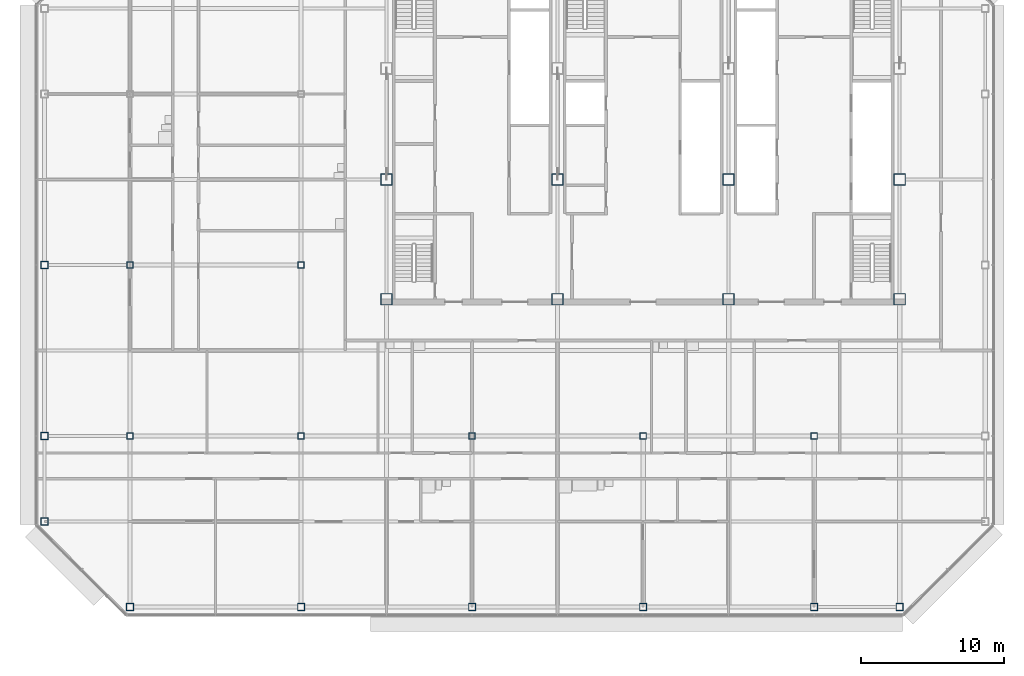
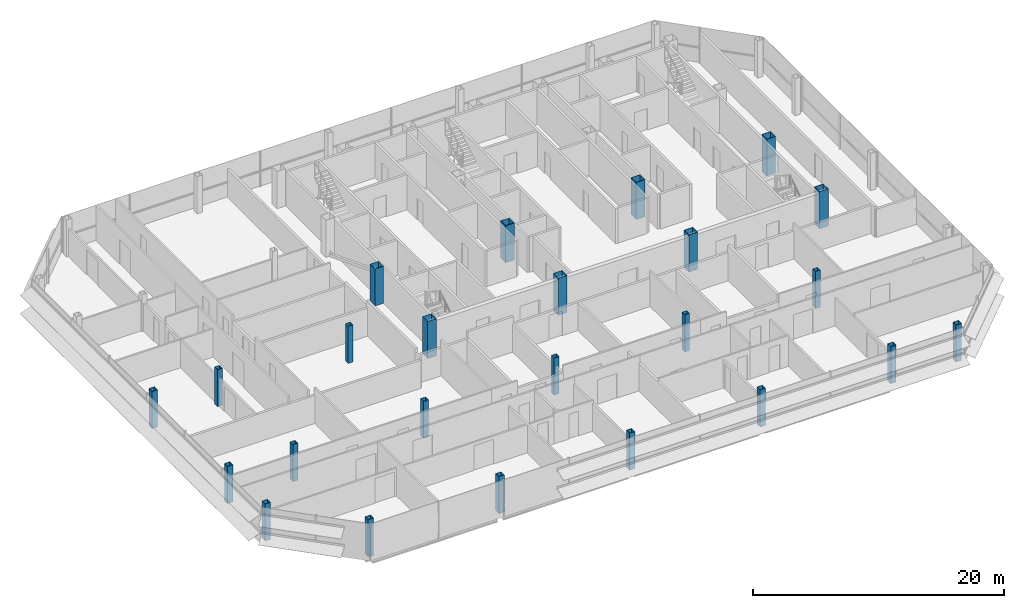
# One storey, part 1 of 27: 24 columns.
"""IFC4 building model written with IfcOpenShell, lengths in metres."""

from ifc_helpers import new_model, si_unit, direction, frame, origin, origin_2d, place, context, subcontext, project, spatial, hollow_rectangle, extrude, material, material_profile, profile_set, type_object, element, save


model = new_model("IFC4")

# Units and contexts
model_context = context("Model", 3, precision=1e-05, world=origin(), true_north=direction((0.0, 1.0)))
body_context = subcontext(model_context, "Body", "Model", "MODEL_VIEW")
ifc_project = project(units=[si_unit("LENGTHUNIT", "METRE"), si_unit("AREAUNIT", "SQUARE_METRE"), si_unit("VOLUMEUNIT", "CUBIC_METRE"), si_unit("PLANEANGLEUNIT", "RADIAN"), si_unit("MASSUNIT", "GRAM", prefix="KILO")], contexts=[model_context])

# Site, building, storey
site_placement = place(None, origin())
site = spatial("IfcSite", under=ifc_project, at=site_placement, CompositionType="ELEMENT")
building_placement = place(site_placement, origin())
building = spatial("IfcBuilding", under=site, at=building_placement, Name="Sorahane Residences", CompositionType="ELEMENT")
storey_placement = place(building_placement, frame((0.0, 0.0, 323.199951171875)))
storey = spatial("IfcBuildingStorey", under=building, at=storey_placement, Name="L77", CompositionType="ELEMENT", Elevation=323.199951171875)

# Columns
ifc_material_1 = material(Name="Steel Q355B", Category="steel")
ifc_material_profile_1 = material_profile(ifc_material_1, hollow_rectangle(XDim=0.449951171875, YDim=0.449951171875, WallThickness=0.02197265625, at=origin_2d()), Name="BOX 450x450x22")
ifc_profile_set_1 = profile_set([ifc_material_profile_1], Name="Steel Q355B")
column_type_1 = type_object("IfcColumnType", Name="Steel box column BOX 450x450x22 Q355B", PredefinedType="COLUMN", material=ifc_profile_set_1)
for number, where, z_axis, x_axis, name in (
    (1, (-12.0, 12.0, 0.0), (0.0, 0.0, 1.0), (1.0, 0.0, 0.0), "Column L77 m12/12"),
    (2, (-12.0, 24.0, 0.0), (0.0, 0.0, 1.0), (1.0, 0.0, 0.0), "Column L77 m12/24"),
    (3, (0.0, 12.0, 0.0), (0.0, 0.0, 1.0), (1.0, 0.0, 0.0), "Column L77 0/12"),
    (4, (0.0, 24.0, 0.0), (0.0, 0.0, 1.0), (1.0, 0.0, 0.0), "Column L77 0/24"),
    (5, (12.0, 12.0, 0.0), (0.0, 0.0, 1.0), (1.0, 0.0, 0.0), "Column L77 12/12"),
    (6, (24.0, 12.0, 0.0), (0.0, 0.0, 1.0), (1.0, 0.0, 0.0), "Column L77 24/12"),
    (7, (36.0, 12.0, 0.0), (0.0, 0.0, 1.0), (1.0, 0.0, 0.0), "Column L77 36/12"),
):
    element("IfcColumn", number, at=place(storey_placement, frame(where, z_axis=z_axis, x_axis=x_axis)), inside=storey, type_object=column_type_1, Name=name, PredefinedType="COLUMN", context=body_context, shape_type="SweptSolid", body=[
        extrude(hollow_rectangle(XDim=0.449951171875, YDim=0.449951171875, WallThickness=0.02197265625, at=origin_2d()), origin(), (0.0, 0.0, 1.0), 3.60009765625),
    ])
ifc_material_2 = material(Name="Steel Q355B", Category="steel")
ifc_material_profile_2 = material_profile(ifc_material_2, hollow_rectangle(XDim=0.5, YDim=0.5, WallThickness=0.02490234375, at=origin_2d()), Name="BOX 500x500x25")
ifc_profile_set_2 = profile_set([ifc_material_profile_2], Name="Steel Q355B")
column_type_2 = type_object("IfcColumnType", Name="Steel box column BOX 500x500x25 Q355B", PredefinedType="COLUMN", material=ifc_profile_set_2)
for number, where, z_axis, x_axis, name in (
    (8, (-18.0, 6.0, 0.0), (0.0, 0.0, 1.0), (1.0, 0.0, 0.0), "Column L77 m18/6"),
    (9, (-18.0, 12.0, 0.0), (0.0, 0.0, 1.0), (1.0, 0.0, 0.0), "Column L77 m18/12"),
    (10, (-18.0, 24.0, 0.0), (0.0, 0.0, 1.0), (1.0, 0.0, 0.0), "Column L77 m18/24"),
    (11, (-12.0, 0.0, 0.0), (0.0, 0.0, 1.0), (1.0, 0.0, 0.0), "Column L77 m12/0"),
    (12, (0.0, 0.0, 0.0), (0.0, 0.0, 1.0), (1.0, 0.0, 0.0), "Column L77 0/0"),
    (13, (12.0, 0.0, 0.0), (0.0, 0.0, 1.0), (1.0, 0.0, 0.0), "Column L77 12/0"),
    (14, (24.0, 0.0, 0.0), (0.0, 0.0, 1.0), (1.0, 0.0, 0.0), "Column L77 24/0"),
    (15, (36.0, 0.0, 0.0), (0.0, 0.0, 1.0), (1.0, 0.0, 0.0), "Column L77 36/0"),
    (16, (42.0, 0.0, 0.0), (0.0, 0.0, 1.0), (1.0, 0.0, 0.0), "Column L77 42/0"),
):
    element("IfcColumn", number, at=place(storey_placement, frame(where, z_axis=z_axis, x_axis=x_axis)), inside=storey, type_object=column_type_2, Name=name, PredefinedType="COLUMN", context=body_context, shape_type="SweptSolid", body=[
        extrude(hollow_rectangle(XDim=0.5, YDim=0.5, WallThickness=0.02490234375, at=origin_2d()), origin(), (0.0, 0.0, 1.0), 3.60009765625),
    ])
ifc_material_3 = material(Name="Steel Q355B", Category="steel")
ifc_material_profile_3 = material_profile(ifc_material_3, hollow_rectangle(XDim=0.800048828125, YDim=0.800048828125, WallThickness=0.02490234375, at=origin_2d()), Name="BOX 800x800x25")
ifc_profile_set_3 = profile_set([ifc_material_profile_3], Name="Steel Q355B")
column_type_3 = type_object("IfcColumnType", Name="Steel box column BOX 800x800x25 Q355B", PredefinedType="COLUMN", material=ifc_profile_set_3)
for number, where, z_axis, x_axis, name in (
    (17, (6.0, 21.60009765625, 0.0), (0.0, 0.0, 1.0), (1.0, 0.0, 0.0), "Column L77 6/21.6"),
    (18, (6.0, 30.0, 0.0), (0.0, 0.0, 1.0), (1.0, 0.0, 0.0), "Column L77 6/30"),
    (19, (18.0, 21.60009765625, 0.0), (0.0, 0.0, 1.0), (1.0, 0.0, 0.0), "Column L77 18/21.6"),
    (20, (18.0, 30.0, 0.0), (0.0, 0.0, 1.0), (1.0, 0.0, 0.0), "Column L77 18/30"),
    (21, (30.0, 21.60009765625, 0.0), (0.0, 0.0, 1.0), (1.0, 0.0, 0.0), "Column L77 30/21.6"),
    (22, (30.0, 30.0, 0.0), (0.0, 0.0, 1.0), (1.0, 0.0, 0.0), "Column L77 30/30"),
    (23, (42.0, 21.60009765625, 0.0), (0.0, 0.0, 1.0), (1.0, 0.0, 0.0), "Column L77 42/21.6"),
    (24, (42.0, 30.0, 0.0), (0.0, 0.0, 1.0), (1.0, 0.0, 0.0), "Column L77 42/30"),
):
    element("IfcColumn", number, at=place(storey_placement, frame(where, z_axis=z_axis, x_axis=x_axis)), inside=storey, type_object=column_type_3, Name=name, PredefinedType="COLUMN", context=body_context, shape_type="SweptSolid", body=[
        extrude(hollow_rectangle(XDim=0.800048828125, YDim=0.800048828125, WallThickness=0.02490234375, at=origin_2d()), origin(), (0.0, 0.0, 1.0), 3.60009765625),
    ])

save(model, "model.ifc")
